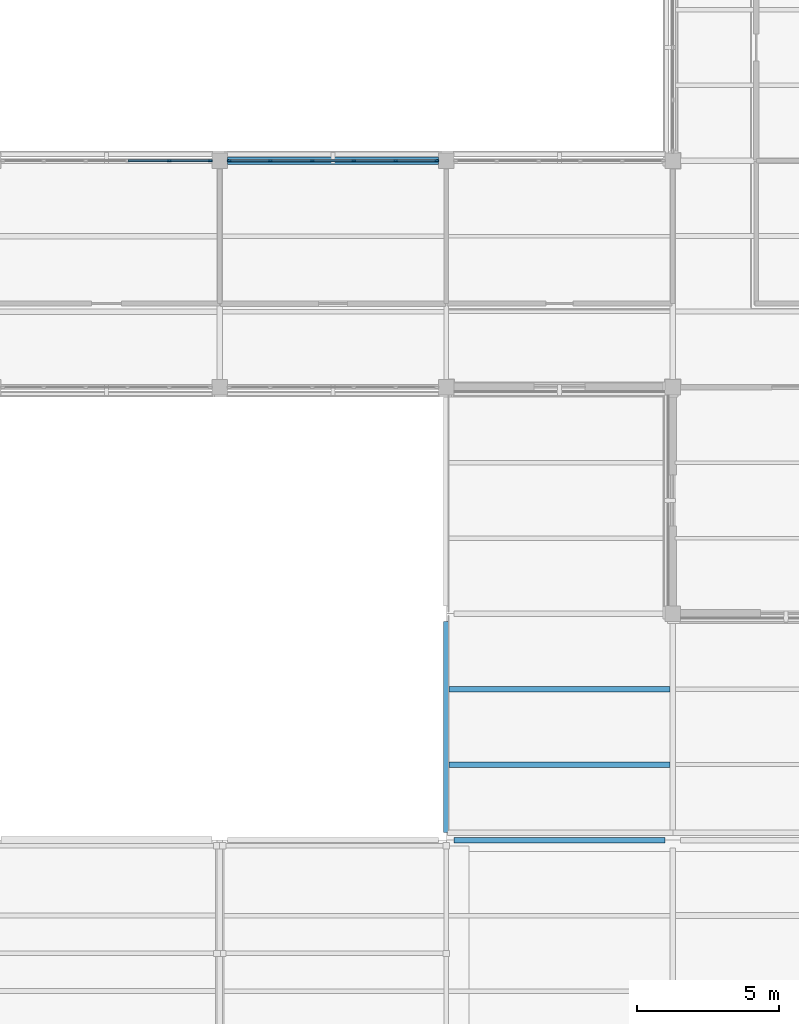
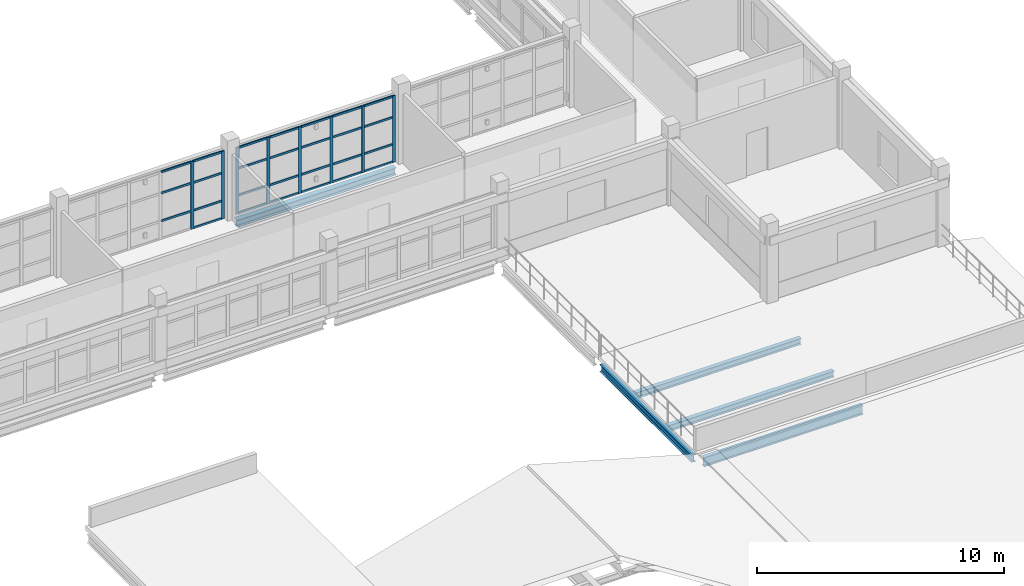
# One storey, part 39 of 92: 35 members, 5 beams, 2 elements without a shape of their own.
"""IFC4 building model written with IfcOpenShell, lengths in metres."""

from ifc_helpers import new_model, si_unit, derived_unit, direction, frame, origin, origin_2d, place, context, subcontext, project, spatial, rectangle, i_section, extrude, material, layer, layer_set, material_profile, profile_set, type_object, element, aggregate, save


model = new_model("IFC4")

# Units and contexts
model_context = context("Model", 3, precision=1e-05, world=origin(), true_north=direction((0.0, 1.0)))
body_context = subcontext(model_context, "Body", "Model", "MODEL_VIEW")
ifc_project = project(units=[si_unit("LENGTHUNIT", "METRE"), si_unit("AREAUNIT", "SQUARE_METRE"), si_unit("VOLUMEUNIT", "CUBIC_METRE"), si_unit("PLANEANGLEUNIT", "RADIAN"), si_unit("MASSUNIT", "GRAM", prefix="KILO"), derived_unit("THERMALTRANSMITTANCEUNIT", [(si_unit("MASSUNIT", "GRAM", prefix="KILO"), 1), (si_unit("TIMEUNIT", "SECOND"), -3), (si_unit("THERMODYNAMICTEMPERATUREUNIT", "KELVIN"), -1)])], contexts=[model_context])

# Site, building, storey
site_placement = place(None, origin())
site = spatial("IfcSite", under=ifc_project, at=site_placement, CompositionType="ELEMENT")
building_placement = place(site_placement, origin())
building = spatial("IfcBuilding", under=site, at=building_placement, Name="Veyamyaing Civic Hall", CompositionType="ELEMENT")
storey_placement = place(building_placement, frame((0.0, 0.0, 17.820068359375)))
storey = spatial("IfcBuildingStorey", under=building, at=storey_placement, Name="L04", CompositionType="ELEMENT", Elevation=17.820068359375)

# Beams
ifc_material_1 = material(Name="Steel ASTM A992", Category="steel")
ifc_material_profile_1 = material_profile(ifc_material_1, i_section(OverallWidth=0.19189453125, OverallDepth=0.462890625, WebThickness=0.010498046875, FlangeThickness=0.017578125, FilletRadius=0.010009765625, at=origin_2d()), Name="W460X89")
ifc_profile_set_1 = profile_set([ifc_material_profile_1], Name="Steel ASTM A992")
beam_type_1 = type_object("IfcBeamType", Name="B-08", PredefinedType="BEAM", material=ifc_profile_set_1)
beam_1_placement = place(storey_placement, frame((160.27490234375, 32.0, -0.4716796875), z_axis=(1.0, 0.0, 0.0), x_axis=(0.0, 1.0, 0.0)))
element("IfcBeam", 1, at=beam_1_placement, inside=storey, type_object=beam_type_1, Name="Girder B-08 L04 Grid E 21-22", PredefinedType="BEAM", context=body_context, shape_type="SweptSolid", body=[
    extrude(i_section(OverallWidth=0.19189453125, OverallDepth=0.462890625, WebThickness=0.010498046875, FlangeThickness=0.017578125, FilletRadius=0.010009765625, at=origin_2d()), origin(), (0.0, 0.0, 1.0), 7.4501953125),
])
ifc_material_profile_2 = material_profile(ifc_material_1, i_section(OverallWidth=0.2041015625, OverallDepth=0.35009765625, WebThickness=0.0078125, FlangeThickness=0.01513671875, FilletRadius=0.010009765625, at=origin_2d()), Name="W360X72")
ifc_profile_set_2 = profile_set([ifc_material_profile_2], Name="Steel ASTM A992")
beam_type_2 = type_object("IfcBeamType", Name="B-11", PredefinedType="SPANDREL", material=ifc_profile_set_2)
beam_2_placement = place(storey_placement, frame((160.0, 32.27490234375, -0.405029296875), z_axis=(0.0, 1.0, 0.0), x_axis=(-1.0, 0.0, 0.0)))
element("IfcBeam", 2, at=beam_2_placement, inside=storey, type_object=beam_type_2, Name="Girder B-11 L04 Grid 21 E-F", PredefinedType="SPANDREL", context=body_context, shape_type="SweptSolid", body=[
    extrude(i_section(OverallWidth=0.2041015625, OverallDepth=0.35009765625, WebThickness=0.0078125, FlangeThickness=0.01513671875, FilletRadius=0.010009765625, at=origin_2d()), origin(), (0.0, 0.0, 1.0), 7.4501953125),
])
ifc_material_profile_3 = material_profile(ifc_material_1, i_section(OverallWidth=0.25390625, OverallDepth=0.35302734375, WebThickness=0.009521484375, FlangeThickness=0.016357421875, FilletRadius=0.011962890625, at=origin_2d()), Name="W360X91")
ifc_profile_set_3 = profile_set([ifc_material_profile_3], Name="Steel ASTM A992")
beam_type_3 = type_object("IfcBeamType", Name="B-20", PredefinedType="SPANDREL", material=ifc_profile_set_3)
beam_3_placement = place(storey_placement, frame((152.27490234375, 56.0, -0.41162109375), z_axis=(1.0, 0.0, 0.0), x_axis=(0.0, 1.0, 0.0)))
element("IfcBeam", 3, at=beam_3_placement, inside=storey, type_object=beam_type_3, Name="Girder B-20 L04 Grid H 20-21", PredefinedType="SPANDREL", context=body_context, shape_type="SweptSolid", body=[
    extrude(i_section(OverallWidth=0.25390625, OverallDepth=0.35302734375, WebThickness=0.009521484375, FlangeThickness=0.016357421875, FilletRadius=0.011962890625, at=origin_2d()), origin(), (0.0, 0.0, 1.0), 7.4501953125),
])

# Curtain wall, members
ifc_material_2 = material(Name="Anodised aluminium 6063-T6", Category="aluminium")
ifc_layer = layer(ifc_material_2, 0.139892578125, Name="Anodised aluminium 6063-T6")
ifc_layer_set = layer_set([ifc_layer], Name="Anodised aluminium 6063-T6")
curtain_wall_type = type_object("IfcCurtainWallType", Name="CW-04", PredefinedType="NOTDEFINED", material=ifc_layer_set)
curtain_wall_1_placement = place(storey_placement, origin())
curtain_wall_1 = element("IfcCurtainWall", 4, at=curtain_wall_1_placement, inside=storey, type_object=curtain_wall_type, Name="Unitized curtain wall CW-04 L04 N 19.7", PredefinedType="NOTDEFINED")
ifc_material_profile_4 = material_profile(ifc_material_2, rectangle(XDim=0.06005859375, YDim=0.139892578125, at=origin_2d()), Name="ALU-MUL-60X140")
ifc_profile_set_4 = profile_set([ifc_material_profile_4], Name="Anodised aluminium 6063-T6")
member_type_1 = type_object("IfcMemberType", Name="CWM-03", PredefinedType="MULLION", material=ifc_profile_set_4)
member_1_placement = place(storey_placement, frame((150.217041015625, 56.0, 0.0), z_axis=(0.0, 0.0, 1.0), x_axis=(0.0, 1.0, 0.0)))
member_1 = element("IfcMember", 5, at=member_1_placement, type_object=member_type_1, Name="CW-04 mullion 5", PredefinedType="MULLION", context=body_context, shape_type="SweptSolid", body=[
    extrude(rectangle(XDim=0.06005859375, YDim=0.139892578125, at=origin_2d()), origin(), (0.0, 0.0, 1.0), 3.348876953125),
])
member_2_placement = place(storey_placement, frame((151.6650390625, 56.0, 0.0), z_axis=(0.0, 0.0, 1.0), x_axis=(0.0, 1.0, 0.0)))
member_2 = element("IfcMember", 6, at=member_2_placement, type_object=member_type_1, Name="CW-04 mullion 6", PredefinedType="MULLION", context=body_context, shape_type="SweptSolid", body=[
    extrude(rectangle(XDim=0.06005859375, YDim=0.139892578125, at=origin_2d()), origin(), (0.0, 0.0, 1.0), 3.348876953125),
])

curtain_wall_2_placement = place(storey_placement, origin())
curtain_wall_2 = element("IfcCurtainWall", 7, at=curtain_wall_2_placement, inside=storey, type_object=curtain_wall_type, Name="Unitized curtain wall CW-04 L04 N 20.7", PredefinedType="NOTDEFINED")
member_3_placement = place(storey_placement, frame((152.3349609375, 56.0, 0.0), z_axis=(0.0, 0.0, 1.0), x_axis=(0.0, 1.0, 0.0)))
member_3 = element("IfcMember", 8, at=member_3_placement, type_object=member_type_1, Name="CW-04 mullion 1", PredefinedType="MULLION", context=body_context, shape_type="SweptSolid", body=[
    extrude(rectangle(XDim=0.06005859375, YDim=0.139892578125, at=origin_2d()), origin(), (0.0, 0.0, 1.0), 3.288818359375),
])
member_4_placement = place(storey_placement, frame((153.782958984375, 56.0, 0.0), z_axis=(0.0, 0.0, 1.0), x_axis=(0.0, 1.0, 0.0)))
member_4 = element("IfcMember", 9, at=member_4_placement, type_object=member_type_1, Name="CW-04 mullion 2", PredefinedType="MULLION", context=body_context, shape_type="SweptSolid", body=[
    extrude(rectangle(XDim=0.06005859375, YDim=0.139892578125, at=origin_2d()), origin(), (0.0, 0.0, 1.0), 3.288818359375),
])
member_5_placement = place(storey_placement, frame((155.260986328125, 56.0, 0.0), z_axis=(0.0, 0.0, 1.0), x_axis=(0.0, 1.0, 0.0)))
member_5 = element("IfcMember", 10, at=member_5_placement, type_object=member_type_1, Name="CW-04 mullion 3", PredefinedType="MULLION", context=body_context, shape_type="SweptSolid", body=[
    extrude(rectangle(XDim=0.06005859375, YDim=0.139892578125, at=origin_2d()), origin(), (0.0, 0.0, 1.0), 3.288818359375),
])
member_6_placement = place(storey_placement, frame((156.739013671875, 56.0, 0.0), z_axis=(0.0, 0.0, 1.0), x_axis=(0.0, 1.0, 0.0)))
member_6 = element("IfcMember", 11, at=member_6_placement, type_object=member_type_1, Name="CW-04 mullion 4", PredefinedType="MULLION", context=body_context, shape_type="SweptSolid", body=[
    extrude(rectangle(XDim=0.06005859375, YDim=0.139892578125, at=origin_2d()), origin(), (0.0, 0.0, 1.0), 3.288818359375),
])
member_7_placement = place(storey_placement, frame((158.217041015625, 56.0, 0.0), z_axis=(0.0, 0.0, 1.0), x_axis=(0.0, 1.0, 0.0)))
member_7 = element("IfcMember", 12, at=member_7_placement, type_object=member_type_1, Name="CW-04 mullion 5", PredefinedType="MULLION", context=body_context, shape_type="SweptSolid", body=[
    extrude(rectangle(XDim=0.06005859375, YDim=0.139892578125, at=origin_2d()), origin(), (0.0, 0.0, 1.0), 3.288818359375),
])
member_8_placement = place(storey_placement, frame((159.6650390625, 56.0, 0.0), z_axis=(0.0, 0.0, 1.0), x_axis=(0.0, 1.0, 0.0)))
member_8 = element("IfcMember", 13, at=member_8_placement, type_object=member_type_1, Name="CW-04 mullion 6", PredefinedType="MULLION", context=body_context, shape_type="SweptSolid", body=[
    extrude(rectangle(XDim=0.06005859375, YDim=0.139892578125, at=origin_2d()), origin(), (0.0, 0.0, 1.0), 3.288818359375),
])

# Member
ifc_material_profile_5 = material_profile(ifc_material_2, rectangle(XDim=0.06005859375, YDim=0.10009765625, at=origin_2d()), Name="ALU-TRN-60X100")
ifc_profile_set_5 = profile_set([ifc_material_profile_5], Name="Anodised aluminium 6063-T6")
member_type_2 = type_object("IfcMemberType", Name="CWT-03", PredefinedType="USERDEFINED", material=ifc_profile_set_5)
member_9_placement = place(storey_placement, frame((148.76904296875, 56.0, 0.89990234375), z_axis=(1.0, 0.0, 0.0), x_axis=(0.0, 1.0, 0.0)))
member_9 = element("IfcMember", 14, at=member_9_placement, type_object=member_type_2, Name="CW-04 transom 4.2", ObjectType="TRANSOM", PredefinedType="USERDEFINED", context=body_context, shape_type="SweptSolid", body=[
    extrude(rectangle(XDim=0.06005859375, YDim=0.10009765625, at=origin_2d()), origin(), (0.0, 0.0, 1.0), 1.41796875),
])

member_10_placement = place(storey_placement, frame((148.76904296875, 56.0, 2.27734375), z_axis=(1.0, 0.0, 0.0), x_axis=(0.0, 1.0, 0.0)))
member_10 = element("IfcMember", 15, at=member_10_placement, type_object=member_type_2, Name="CW-04 transom 4.3", ObjectType="TRANSOM", PredefinedType="USERDEFINED", context=body_context, shape_type="SweptSolid", body=[
    extrude(rectangle(XDim=0.06005859375, YDim=0.10009765625, at=origin_2d()), origin(), (0.0, 0.0, 1.0), 1.41796875),
])

member_11_placement = place(storey_placement, frame((148.76904296875, 56.0, 3.31884765625), z_axis=(1.0, 0.0, 0.0), x_axis=(0.0, 1.0, 0.0)))
member_11 = element("IfcMember", 16, at=member_11_placement, type_object=member_type_2, Name="CW-04 transom 4.4", ObjectType="TRANSOM", PredefinedType="USERDEFINED", context=body_context, shape_type="SweptSolid", body=[
    extrude(rectangle(XDim=0.06005859375, YDim=0.10009765625, at=origin_2d()), origin(), (0.0, 0.0, 1.0), 1.41796875),
])

member_12_placement = place(storey_placement, frame((150.2470703125, 56.0, 0.030029296875), z_axis=(1.0, 0.0, 0.0), x_axis=(0.0, 1.0, 0.0)))
member_12 = element("IfcMember", 17, at=member_12_placement, type_object=member_type_2, Name="CW-04 transom 5.1", ObjectType="TRANSOM", PredefinedType="USERDEFINED", context=body_context, shape_type="SweptSolid", body=[
    extrude(rectangle(XDim=0.06005859375, YDim=0.10009765625, at=origin_2d()), origin(), (0.0, 0.0, 1.0), 1.387939453125),
])

member_13_placement = place(storey_placement, frame((150.2470703125, 56.0, 0.89990234375), z_axis=(1.0, 0.0, 0.0), x_axis=(0.0, 1.0, 0.0)))
member_13 = element("IfcMember", 18, at=member_13_placement, type_object=member_type_2, Name="CW-04 transom 5.2", ObjectType="TRANSOM", PredefinedType="USERDEFINED", context=body_context, shape_type="SweptSolid", body=[
    extrude(rectangle(XDim=0.06005859375, YDim=0.10009765625, at=origin_2d()), origin(), (0.0, 0.0, 1.0), 1.387939453125),
])

member_14_placement = place(storey_placement, frame((150.2470703125, 56.0, 2.27734375), z_axis=(1.0, 0.0, 0.0), x_axis=(0.0, 1.0, 0.0)))
member_14 = element("IfcMember", 19, at=member_14_placement, type_object=member_type_2, Name="CW-04 transom 5.3", ObjectType="TRANSOM", PredefinedType="USERDEFINED", context=body_context, shape_type="SweptSolid", body=[
    extrude(rectangle(XDim=0.06005859375, YDim=0.10009765625, at=origin_2d()), origin(), (0.0, 0.0, 1.0), 1.387939453125),
])

member_15_placement = place(storey_placement, frame((150.2470703125, 56.0, 3.31884765625), z_axis=(1.0, 0.0, 0.0), x_axis=(0.0, 1.0, 0.0)))
member_15 = element("IfcMember", 20, at=member_15_placement, type_object=member_type_2, Name="CW-04 transom 5.4", ObjectType="TRANSOM", PredefinedType="USERDEFINED", context=body_context, shape_type="SweptSolid", body=[
    extrude(rectangle(XDim=0.06005859375, YDim=0.10009765625, at=origin_2d()), origin(), (0.0, 0.0, 1.0), 1.387939453125),
])

aggregate(curtain_wall_1, [member_1, member_2, member_9, member_10, member_11, member_12, member_13, member_14, member_15])

member_16_placement = place(storey_placement, frame((152.364990234375, 56.0, 0.030029296875), z_axis=(1.0, 0.0, 0.0), x_axis=(0.0, 1.0, 0.0)))
member_16 = element("IfcMember", 21, at=member_16_placement, type_object=member_type_2, Name="CW-04 transom 1.1", ObjectType="TRANSOM", PredefinedType="USERDEFINED", context=body_context, shape_type="SweptSolid", body=[
    extrude(rectangle(XDim=0.06005859375, YDim=0.10009765625, at=origin_2d()), origin(), (0.0, 0.0, 1.0), 1.387939453125),
])

member_17_placement = place(storey_placement, frame((152.364990234375, 56.0, 0.89990234375), z_axis=(1.0, 0.0, 0.0), x_axis=(0.0, 1.0, 0.0)))
member_17 = element("IfcMember", 22, at=member_17_placement, type_object=member_type_2, Name="CW-04 transom 1.2", ObjectType="TRANSOM", PredefinedType="USERDEFINED", context=body_context, shape_type="SweptSolid", body=[
    extrude(rectangle(XDim=0.06005859375, YDim=0.10009765625, at=origin_2d()), origin(), (0.0, 0.0, 1.0), 1.387939453125),
])

member_18_placement = place(storey_placement, frame((152.364990234375, 56.0, 2.236328125), z_axis=(1.0, 0.0, 0.0), x_axis=(0.0, 1.0, 0.0)))
member_18 = element("IfcMember", 23, at=member_18_placement, type_object=member_type_2, Name="CW-04 transom 1.3", ObjectType="TRANSOM", PredefinedType="USERDEFINED", context=body_context, shape_type="SweptSolid", body=[
    extrude(rectangle(XDim=0.06005859375, YDim=0.10009765625, at=origin_2d()), origin(), (0.0, 0.0, 1.0), 1.387939453125),
])

member_19_placement = place(storey_placement, frame((152.364990234375, 56.0, 3.259033203125), z_axis=(1.0, 0.0, 0.0), x_axis=(0.0, 1.0, 0.0)))
member_19 = element("IfcMember", 24, at=member_19_placement, type_object=member_type_2, Name="CW-04 transom 1.4", ObjectType="TRANSOM", PredefinedType="USERDEFINED", context=body_context, shape_type="SweptSolid", body=[
    extrude(rectangle(XDim=0.06005859375, YDim=0.10009765625, at=origin_2d()), origin(), (0.0, 0.0, 1.0), 1.387939453125),
])

member_20_placement = place(storey_placement, frame((153.81298828125, 56.0, 0.030029296875), z_axis=(1.0, 0.0, 0.0), x_axis=(0.0, 1.0, 0.0)))
member_20 = element("IfcMember", 25, at=member_20_placement, type_object=member_type_2, Name="CW-04 transom 2.1", ObjectType="TRANSOM", PredefinedType="USERDEFINED", context=body_context, shape_type="SweptSolid", body=[
    extrude(rectangle(XDim=0.06005859375, YDim=0.10009765625, at=origin_2d()), origin(), (0.0, 0.0, 1.0), 1.41796875),
])

member_21_placement = place(storey_placement, frame((153.81298828125, 56.0, 0.89990234375), z_axis=(1.0, 0.0, 0.0), x_axis=(0.0, 1.0, 0.0)))
member_21 = element("IfcMember", 26, at=member_21_placement, type_object=member_type_2, Name="CW-04 transom 2.2", ObjectType="TRANSOM", PredefinedType="USERDEFINED", context=body_context, shape_type="SweptSolid", body=[
    extrude(rectangle(XDim=0.06005859375, YDim=0.10009765625, at=origin_2d()), origin(), (0.0, 0.0, 1.0), 1.41796875),
])

member_22_placement = place(storey_placement, frame((153.81298828125, 56.0, 2.236328125), z_axis=(1.0, 0.0, 0.0), x_axis=(0.0, 1.0, 0.0)))
member_22 = element("IfcMember", 27, at=member_22_placement, type_object=member_type_2, Name="CW-04 transom 2.3", ObjectType="TRANSOM", PredefinedType="USERDEFINED", context=body_context, shape_type="SweptSolid", body=[
    extrude(rectangle(XDim=0.06005859375, YDim=0.10009765625, at=origin_2d()), origin(), (0.0, 0.0, 1.0), 1.41796875),
])

member_23_placement = place(storey_placement, frame((153.81298828125, 56.0, 3.259033203125), z_axis=(1.0, 0.0, 0.0), x_axis=(0.0, 1.0, 0.0)))
member_23 = element("IfcMember", 28, at=member_23_placement, type_object=member_type_2, Name="CW-04 transom 2.4", ObjectType="TRANSOM", PredefinedType="USERDEFINED", context=body_context, shape_type="SweptSolid", body=[
    extrude(rectangle(XDim=0.06005859375, YDim=0.10009765625, at=origin_2d()), origin(), (0.0, 0.0, 1.0), 1.41796875),
])

member_24_placement = place(storey_placement, frame((155.291015625, 56.0, 0.030029296875), z_axis=(1.0, 0.0, 0.0), x_axis=(0.0, 1.0, 0.0)))
member_24 = element("IfcMember", 29, at=member_24_placement, type_object=member_type_2, Name="CW-04 transom 3.1", ObjectType="TRANSOM", PredefinedType="USERDEFINED", context=body_context, shape_type="SweptSolid", body=[
    extrude(rectangle(XDim=0.06005859375, YDim=0.10009765625, at=origin_2d()), origin(), (0.0, 0.0, 1.0), 1.41796875),
])

member_25_placement = place(storey_placement, frame((155.291015625, 56.0, 0.89990234375), z_axis=(1.0, 0.0, 0.0), x_axis=(0.0, 1.0, 0.0)))
member_25 = element("IfcMember", 30, at=member_25_placement, type_object=member_type_2, Name="CW-04 transom 3.2", ObjectType="TRANSOM", PredefinedType="USERDEFINED", context=body_context, shape_type="SweptSolid", body=[
    extrude(rectangle(XDim=0.06005859375, YDim=0.10009765625, at=origin_2d()), origin(), (0.0, 0.0, 1.0), 1.41796875),
])

member_26_placement = place(storey_placement, frame((155.291015625, 56.0, 2.236328125), z_axis=(1.0, 0.0, 0.0), x_axis=(0.0, 1.0, 0.0)))
member_26 = element("IfcMember", 31, at=member_26_placement, type_object=member_type_2, Name="CW-04 transom 3.3", ObjectType="TRANSOM", PredefinedType="USERDEFINED", context=body_context, shape_type="SweptSolid", body=[
    extrude(rectangle(XDim=0.06005859375, YDim=0.10009765625, at=origin_2d()), origin(), (0.0, 0.0, 1.0), 1.41796875),
])

member_27_placement = place(storey_placement, frame((155.291015625, 56.0, 3.259033203125), z_axis=(1.0, 0.0, 0.0), x_axis=(0.0, 1.0, 0.0)))
member_27 = element("IfcMember", 32, at=member_27_placement, type_object=member_type_2, Name="CW-04 transom 3.4", ObjectType="TRANSOM", PredefinedType="USERDEFINED", context=body_context, shape_type="SweptSolid", body=[
    extrude(rectangle(XDim=0.06005859375, YDim=0.10009765625, at=origin_2d()), origin(), (0.0, 0.0, 1.0), 1.41796875),
])

member_28_placement = place(storey_placement, frame((156.76904296875, 56.0, 0.030029296875), z_axis=(1.0, 0.0, 0.0), x_axis=(0.0, 1.0, 0.0)))
member_28 = element("IfcMember", 33, at=member_28_placement, type_object=member_type_2, Name="CW-04 transom 4.1", ObjectType="TRANSOM", PredefinedType="USERDEFINED", context=body_context, shape_type="SweptSolid", body=[
    extrude(rectangle(XDim=0.06005859375, YDim=0.10009765625, at=origin_2d()), origin(), (0.0, 0.0, 1.0), 1.41796875),
])

member_29_placement = place(storey_placement, frame((156.76904296875, 56.0, 0.89990234375), z_axis=(1.0, 0.0, 0.0), x_axis=(0.0, 1.0, 0.0)))
member_29 = element("IfcMember", 34, at=member_29_placement, type_object=member_type_2, Name="CW-04 transom 4.2", ObjectType="TRANSOM", PredefinedType="USERDEFINED", context=body_context, shape_type="SweptSolid", body=[
    extrude(rectangle(XDim=0.06005859375, YDim=0.10009765625, at=origin_2d()), origin(), (0.0, 0.0, 1.0), 1.41796875),
])

member_30_placement = place(storey_placement, frame((156.76904296875, 56.0, 2.236328125), z_axis=(1.0, 0.0, 0.0), x_axis=(0.0, 1.0, 0.0)))
member_30 = element("IfcMember", 35, at=member_30_placement, type_object=member_type_2, Name="CW-04 transom 4.3", ObjectType="TRANSOM", PredefinedType="USERDEFINED", context=body_context, shape_type="SweptSolid", body=[
    extrude(rectangle(XDim=0.06005859375, YDim=0.10009765625, at=origin_2d()), origin(), (0.0, 0.0, 1.0), 1.41796875),
])

member_31_placement = place(storey_placement, frame((156.76904296875, 56.0, 3.259033203125), z_axis=(1.0, 0.0, 0.0), x_axis=(0.0, 1.0, 0.0)))
member_31 = element("IfcMember", 36, at=member_31_placement, type_object=member_type_2, Name="CW-04 transom 4.4", ObjectType="TRANSOM", PredefinedType="USERDEFINED", context=body_context, shape_type="SweptSolid", body=[
    extrude(rectangle(XDim=0.06005859375, YDim=0.10009765625, at=origin_2d()), origin(), (0.0, 0.0, 1.0), 1.41796875),
])

member_32_placement = place(storey_placement, frame((158.2470703125, 56.0, 0.030029296875), z_axis=(1.0, 0.0, 0.0), x_axis=(0.0, 1.0, 0.0)))
member_32 = element("IfcMember", 37, at=member_32_placement, type_object=member_type_2, Name="CW-04 transom 5.1", ObjectType="TRANSOM", PredefinedType="USERDEFINED", context=body_context, shape_type="SweptSolid", body=[
    extrude(rectangle(XDim=0.06005859375, YDim=0.10009765625, at=origin_2d()), origin(), (0.0, 0.0, 1.0), 1.387939453125),
])

member_33_placement = place(storey_placement, frame((158.2470703125, 56.0, 0.89990234375), z_axis=(1.0, 0.0, 0.0), x_axis=(0.0, 1.0, 0.0)))
member_33 = element("IfcMember", 38, at=member_33_placement, type_object=member_type_2, Name="CW-04 transom 5.2", ObjectType="TRANSOM", PredefinedType="USERDEFINED", context=body_context, shape_type="SweptSolid", body=[
    extrude(rectangle(XDim=0.06005859375, YDim=0.10009765625, at=origin_2d()), origin(), (0.0, 0.0, 1.0), 1.387939453125),
])

member_34_placement = place(storey_placement, frame((158.2470703125, 56.0, 2.236328125), z_axis=(1.0, 0.0, 0.0), x_axis=(0.0, 1.0, 0.0)))
member_34 = element("IfcMember", 39, at=member_34_placement, type_object=member_type_2, Name="CW-04 transom 5.3", ObjectType="TRANSOM", PredefinedType="USERDEFINED", context=body_context, shape_type="SweptSolid", body=[
    extrude(rectangle(XDim=0.06005859375, YDim=0.10009765625, at=origin_2d()), origin(), (0.0, 0.0, 1.0), 1.387939453125),
])

member_35_placement = place(storey_placement, frame((158.2470703125, 56.0, 3.259033203125), z_axis=(1.0, 0.0, 0.0), x_axis=(0.0, 1.0, 0.0)))
member_35 = element("IfcMember", 40, at=member_35_placement, type_object=member_type_2, Name="CW-04 transom 5.4", ObjectType="TRANSOM", PredefinedType="USERDEFINED", context=body_context, shape_type="SweptSolid", body=[
    extrude(rectangle(XDim=0.06005859375, YDim=0.10009765625, at=origin_2d()), origin(), (0.0, 0.0, 1.0), 1.387939453125),
])

aggregate(curtain_wall_2, [member_3, member_4, member_5, member_6, member_7, member_8, member_16, member_17, member_18, member_19, member_20, member_21, member_22, member_23, member_24, member_25, member_26, member_27, member_28, member_29, member_30, member_31, member_32, member_33, member_34, member_35])

# Beams
ifc_material_profile_6 = material_profile(ifc_material_1, i_section(OverallWidth=0.2041015625, OverallDepth=0.305908203125, WebThickness=0.008544921875, FlangeThickness=0.0146484375, FilletRadius=0.010009765625, at=origin_2d()), Name="W310X67")
ifc_profile_set_6 = profile_set([ifc_material_profile_6], Name="Steel ASTM A992")
beam_type_4 = type_object("IfcBeamType", Name="J-06", PredefinedType="JOIST", material=ifc_profile_set_6)
for number, where, z_axis, x_axis, name in (
    (41, (160.10009765625, 34.666748046875, -0.383056640625), (1.0, 0.0, 0.0), (0.0, 1.0, 0.0), "Composite floor joist J-06 L04 21.5.1"),
    (42, (160.10009765625, 37.333251953125, -0.383056640625), (1.0, 0.0, 0.0), (0.0, 1.0, 0.0), "Composite floor joist J-06 L04 21.5.2"),
):
    element("IfcBeam", number, at=place(storey_placement, frame(where, z_axis=z_axis, x_axis=x_axis)), inside=storey, type_object=beam_type_4, Name=name, PredefinedType="JOIST", context=body_context, shape_type="SweptSolid", body=[
        extrude(i_section(OverallWidth=0.2041015625, OverallDepth=0.305908203125, WebThickness=0.008544921875, FlangeThickness=0.0146484375, FilletRadius=0.010009765625, at=origin_2d()), origin(), (0.0, 0.0, 1.0), 7.806884765625),
    ])

save(model, "model.ifc")
